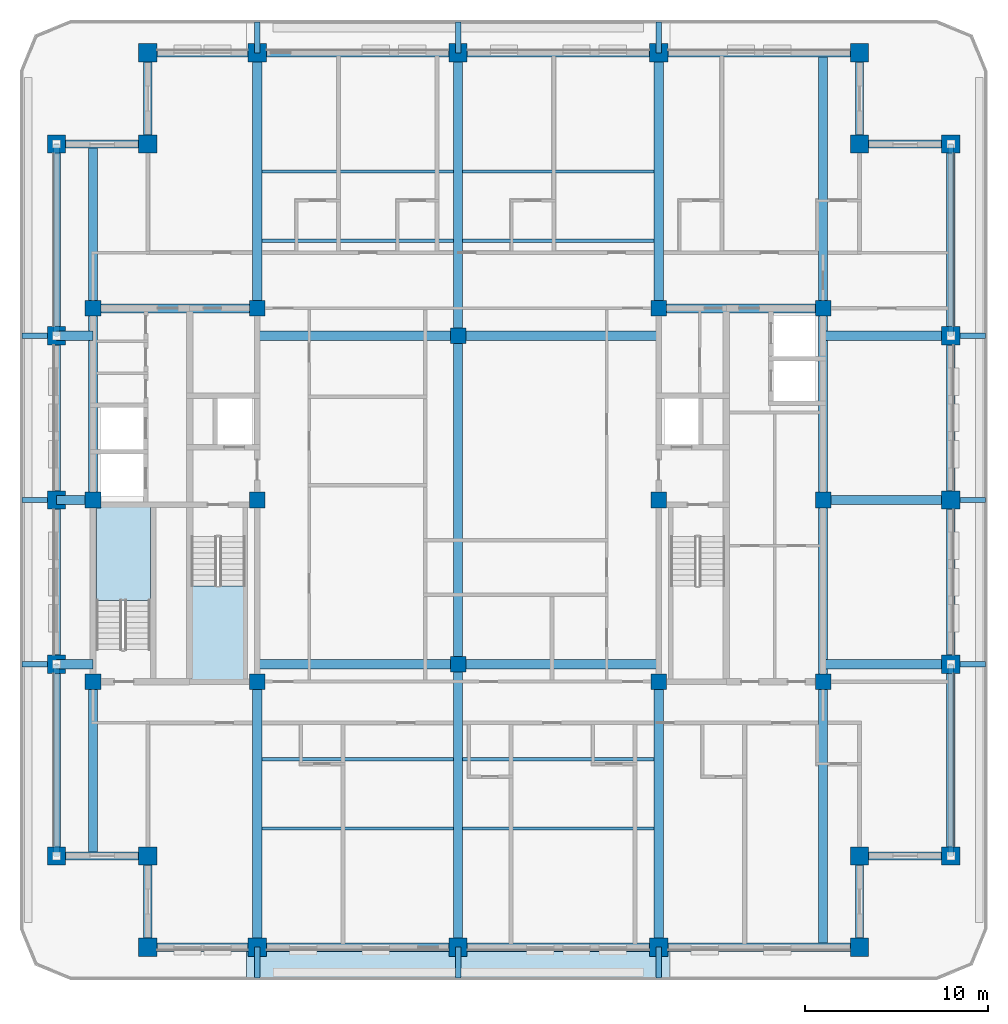
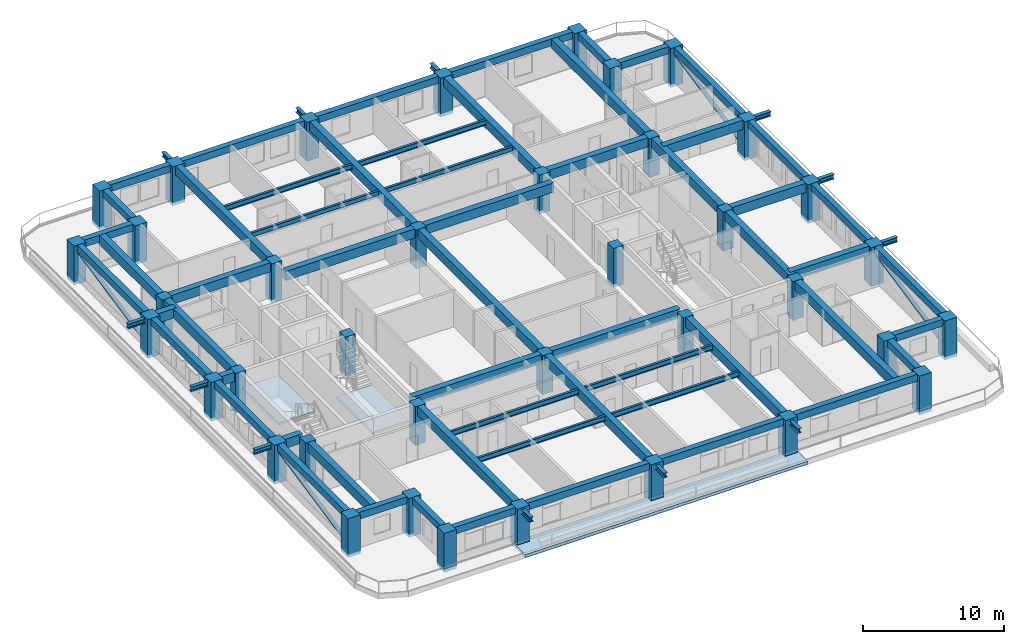
# One storey, part 1 of 15: 70 beams, 38 columns, 4 members, 3 slabs, 2 elements without a shape of their own.
"""IFC4 building model written with IfcOpenShell, lengths in metres."""

from ifc_helpers import new_model, si_unit, direction, frame, origin, origin_2d, place, context, subcontext, project, spatial, polyline, rectangle, hollow_circle, i_section, outline, extrude, material, layer, layer_set, material_profile, profile_set, type_object, element, aggregate, save


model = new_model("IFC4")

# Units and contexts
model_context = context("Model", 3, precision=1e-05, world=origin(), true_north=direction((0.0, 1.0)))
body_context = subcontext(model_context, "Body", "Model", "MODEL_VIEW")
ifc_project = project(units=[si_unit("LENGTHUNIT", "METRE"), si_unit("AREAUNIT", "SQUARE_METRE"), si_unit("VOLUMEUNIT", "CUBIC_METRE"), si_unit("PLANEANGLEUNIT", "RADIAN"), si_unit("MASSUNIT", "GRAM", prefix="KILO")], contexts=[model_context])

# Site, building, storey
site_placement = place(None, origin())
site = spatial("IfcSite", under=ifc_project, at=site_placement, CompositionType="ELEMENT")
building_placement = place(site_placement, origin())
building = spatial("IfcBuilding", under=site, at=building_placement, Name="Zulmaris Gate Convention Tower", CompositionType="ELEMENT")
storey_placement = place(building_placement, frame((0.0, 0.0, 172.85986328125)))
storey = spatial("IfcBuildingStorey", under=building, at=storey_placement, Name="L44", CompositionType="ELEMENT", Elevation=172.85986328125)

# Columns
ifc_material_1 = material(Name="Concrete C60/75", Category="concrete")
ifc_material_profile_1 = material_profile(ifc_material_1, rectangle(XDim=1.0, YDim=1.0, at=origin_2d()), Name="RC COL 1000x1000")
ifc_profile_set_1 = profile_set([ifc_material_profile_1], Name="Concrete C60/75")
column_type_1 = type_object("IfcColumnType", Name="COL-RC1000", PredefinedType="COLUMN", material=ifc_profile_set_1)
for number, where, z_axis, x_axis, name in (
    (1, (-17.0, -24.5, -0.25), (0.0, 0.0, 1.0), (1.0, 0.0, 0.0), "L44 Column PT--17.00_-24.50"),
    (2, (-11.0, -24.5, -0.25), (0.0, 0.0, 1.0), (1.0, 0.0, 0.0), "L44 Column PT--11.00_-24.50"),
    (3, (0.0, -24.5, -0.25), (0.0, 0.0, 1.0), (1.0, 0.0, 0.0), "L44 Column PT-+0.00_-24.50"),
    (4, (11.0, -24.5, -0.25), (0.0, 0.0, 1.0), (1.0, 0.0, 0.0), "L44 Column PT-+11.00_-24.50"),
    (5, (22.0, -24.5, -0.25), (0.0, 0.0, 1.0), (1.0, 0.0, 0.0), "L44 Column PT-+22.00_-24.50"),
    (6, (-17.0, 24.5, -0.25), (0.0, 0.0, 1.0), (1.0, 0.0, 0.0), "L44 Column PT--17.00_+24.50"),
    (7, (-11.0, 24.5, -0.25), (0.0, 0.0, 1.0), (1.0, 0.0, 0.0), "L44 Column PT--11.00_+24.50"),
    (8, (0.0, 24.5, -0.25), (0.0, 0.0, 1.0), (1.0, 0.0, 0.0), "L44 Column PT-+0.00_+24.50"),
    (9, (11.0, 24.5, -0.25), (0.0, 0.0, 1.0), (1.0, 0.0, 0.0), "L44 Column PT-+11.00_+24.50"),
    (10, (22.0, 24.5, -0.25), (0.0, 0.0, 1.0), (1.0, 0.0, 0.0), "L44 Column PT-+22.00_+24.50"),
    (11, (-22.0, -19.5, -0.25), (0.0, 0.0, 1.0), (1.0, 0.0, 0.0), "L44 Column PT--22.00_-19.50"),
    (12, (-22.0, -9.0, -0.25), (0.0, 0.0, 1.0), (1.0, 0.0, 0.0), "L44 Column PT--22.00_-9.00"),
    (13, (-22.0, 0.0, -0.25), (0.0, 0.0, 1.0), (1.0, 0.0, 0.0), "L44 Column PT--22.00_+0.00"),
    (14, (-22.0, 9.0, -0.25), (0.0, 0.0, 1.0), (1.0, 0.0, 0.0), "L44 Column PT--22.00_+9.00"),
    (15, (-22.0, 19.5, -0.25), (0.0, 0.0, 1.0), (1.0, 0.0, 0.0), "L44 Column PT--22.00_+19.50"),
    (16, (27.0, -19.5, -0.25), (0.0, 0.0, 1.0), (1.0, 0.0, 0.0), "L44 Column PT-+27.00_-19.50"),
    (17, (27.0, -9.0, -0.25), (0.0, 0.0, 1.0), (1.0, 0.0, 0.0), "L44 Column PT-+27.00_-9.00"),
    (18, (27.0, 0.0, -0.25), (0.0, 0.0, 1.0), (1.0, 0.0, 0.0), "L44 Column PT-+27.00_+0.00"),
    (19, (27.0, 9.0, -0.25), (0.0, 0.0, 1.0), (1.0, 0.0, 0.0), "L44 Column PT-+27.00_+9.00"),
    (20, (27.0, 19.5, -0.25), (0.0, 0.0, 1.0), (1.0, 0.0, 0.0), "L44 Column PT-+27.00_+19.50"),
    (21, (-17.0, -19.5, -0.25), (0.0, 0.0, 1.0), (1.0, 0.0, 0.0), "L44 Column PT--17.00_-19.50"),
    (22, (22.0, -19.5, -0.25), (0.0, 0.0, 1.0), (1.0, 0.0, 0.0), "L44 Column PT-+22.00_-19.50"),
    (23, (22.0, 19.5, -0.25), (0.0, 0.0, 1.0), (1.0, 0.0, 0.0), "L44 Column PT-+22.00_+19.50"),
    (24, (-17.0, 19.5, -0.25), (0.0, 0.0, 1.0), (1.0, 0.0, 0.0), "L44 Column PT--17.00_+19.50"),
):
    element("IfcColumn", number, at=place(storey_placement, frame(where, z_axis=z_axis, x_axis=x_axis)), inside=storey, type_object=column_type_1, Name=name, PredefinedType="COLUMN", context=body_context, shape_type="SweptSolid", body=[
        extrude(rectangle(XDim=1.0, YDim=1.0, at=origin_2d()), origin(), (0.0, 0.0, 1.0), 3.375),
    ])
ifc_material_profile_2 = material_profile(ifc_material_1, rectangle(XDim=0.85009765625, YDim=0.85009765625, at=origin_2d()), Name="RC COL 850x850")
ifc_profile_set_2 = profile_set([ifc_material_profile_2], Name="Concrete C60/75")
column_type_2 = type_object("IfcColumnType", Name="COL-RC850", PredefinedType="COLUMN", material=ifc_profile_set_2)
for number, where, z_axis, x_axis, name in (
    (25, (-20.0, -9.949951171875, -0.25), (0.0, 0.0, 1.0), (1.0, 0.0, 0.0), "L44 Column IN--20.00_-9.95"),
    (26, (-20.0, 10.5, -0.25), (0.0, 0.0, 1.0), (1.0, 0.0, 0.0), "L44 Column IN--20.00_+10.50"),
    (27, (-11.0, -9.949951171875, -0.25), (0.0, 0.0, 1.0), (1.0, 0.0, 0.0), "L44 Column IN--11.00_-9.95"),
    (28, (-11.0, 0.0, -0.25), (0.0, 0.0, 1.0), (1.0, 0.0, 0.0), "L44 Column IN--11.00_+0.00"),
    (29, (-11.0, 10.5, -0.25), (0.0, 0.0, 1.0), (1.0, 0.0, 0.0), "L44 Column IN--11.00_+10.50"),
    (30, (11.0, -9.949951171875, -0.25), (0.0, 0.0, 1.0), (1.0, 0.0, 0.0), "L44 Column IN-+11.00_-9.95"),
    (31, (11.0, 0.0, -0.25), (0.0, 0.0, 1.0), (1.0, 0.0, 0.0), "L44 Column IN-+11.00_+0.00"),
    (32, (11.0, 10.5, -0.25), (0.0, 0.0, 1.0), (1.0, 0.0, 0.0), "L44 Column IN-+11.00_+10.50"),
    (33, (20.0, -9.949951171875, -0.25), (0.0, 0.0, 1.0), (1.0, 0.0, 0.0), "L44 Column IN-+20.00_-9.95"),
    (34, (20.0, 10.5, -0.25), (0.0, 0.0, 1.0), (1.0, 0.0, 0.0), "L44 Column IN-+20.00_+10.50"),
    (35, (0.0, -9.0, -0.25), (0.0, 0.0, 1.0), (1.0, 0.0, 0.0), "L44 Column IN-+0.00_-9.00"),
    (36, (0.0, 9.0, -0.25), (0.0, 0.0, 1.0), (1.0, 0.0, 0.0), "L44 Column IN-+0.00_+9.00"),
    (37, (-20.0, 0.0, -0.25), (0.0, 0.0, 1.0), (1.0, 0.0, 0.0), "L44 Column IN--20.00_+0.00"),
    (38, (20.0, 0.0, -0.25), (0.0, 0.0, 1.0), (1.0, 0.0, 0.0), "L44 Column IN-+20.00_+0.00"),
):
    element("IfcColumn", number, at=place(storey_placement, frame(where, z_axis=z_axis, x_axis=x_axis)), inside=storey, type_object=column_type_2, Name=name, PredefinedType="COLUMN", context=body_context, shape_type="SweptSolid", body=[
        extrude(rectangle(XDim=0.85009765625, YDim=0.85009765625, at=origin_2d()), origin(), (0.0, 0.0, 1.0), 3.375),
    ])

# Beams
ifc_material_2 = material(Name="Steel S355", Category="steel")
ifc_material_profile_3 = material_profile(ifc_material_2, i_section(OverallWidth=0.300048828125, OverallDepth=0.39990234375, WebThickness=0.013427734375, FlangeThickness=0.02392578125, FilletRadius=0.027099609375, at=origin_2d()), Name="HEB 400")
ifc_profile_set_3 = profile_set([ifc_material_profile_3], Name="Steel S355")
beam_type_1 = type_object("IfcBeamType", Name="BM-HEB400", PredefinedType="BEAM", material=ifc_profile_set_3)
for number, where, z_axis, x_axis, name in (
    (39, (-11.0, -26.199951171875, 2.784912109375), (0.0, 1.0, 0.0), (-1.0, 0.0, 0.0), "L44 Beam TBRK-L44-S--11"),
    (40, (-11.0, 24.5, 2.784912109375), (0.0, 1.0, 0.0), (-1.0, 0.0, 0.0), "L44 Beam TBRK-L44-N--11"),
    (41, (0.0, -26.199951171875, 2.784912109375), (0.0, 1.0, 0.0), (-1.0, 0.0, 0.0), "L44 Beam TBRK-L44-S-+0"),
    (42, (0.0, 24.5, 2.784912109375), (0.0, 1.0, 0.0), (-1.0, 0.0, 0.0), "L44 Beam TBRK-L44-N-+0"),
    (43, (11.0, -26.199951171875, 2.784912109375), (0.0, 1.0, 0.0), (-1.0, 0.0, 0.0), "L44 Beam TBRK-L44-S-+11"),
    (44, (11.0, 24.5, 2.784912109375), (0.0, 1.0, 0.0), (-1.0, 0.0, 0.0), "L44 Beam TBRK-L44-N-+11"),
):
    element("IfcBeam", number, at=place(storey_placement, frame(where, z_axis=z_axis, x_axis=x_axis)), inside=storey, type_object=beam_type_1, Name=name, PredefinedType="BEAM", context=body_context, shape_type="SweptSolid", body=[
        extrude(i_section(OverallWidth=0.300048828125, OverallDepth=0.39990234375, WebThickness=0.013427734375, FlangeThickness=0.02392578125, FilletRadius=0.027099609375, at=origin_2d()), origin(), (0.0, 0.0, 1.0), 1.699951171875),
    ])
for number, where, z_axis, x_axis, name in (
    (45, (-23.89990234375, -9.0, 2.784912109375), (1.0, 0.0, 0.0), (0.0, 1.0, 0.0), "L44 Beam TBRK-L44-W--9"),
    (46, (27.0, -9.0, 2.784912109375), (1.0, 0.0, 0.0), (0.0, 1.0, 0.0), "L44 Beam TBRK-L44-E--9"),
    (47, (-23.89990234375, 0.0, 2.784912109375), (1.0, 0.0, 0.0), (0.0, 1.0, 0.0), "L44 Beam TBRK-L44-W-+0"),
    (48, (27.0, 0.0, 2.784912109375), (1.0, 0.0, 0.0), (0.0, 1.0, 0.0), "L44 Beam TBRK-L44-E-+0"),
    (49, (-23.89990234375, 9.0, 2.784912109375), (1.0, 0.0, 0.0), (0.0, 1.0, 0.0), "L44 Beam TBRK-L44-W-+9"),
    (50, (27.0, 9.0, 2.784912109375), (1.0, 0.0, 0.0), (0.0, 1.0, 0.0), "L44 Beam TBRK-L44-E-+9"),
):
    element("IfcBeam", number, at=place(storey_placement, frame(where, z_axis=z_axis, x_axis=x_axis)), inside=storey, type_object=beam_type_1, Name=name, PredefinedType="BEAM", context=body_context, shape_type="SweptSolid", body=[
        extrude(i_section(OverallWidth=0.300048828125, OverallDepth=0.39990234375, WebThickness=0.013427734375, FlangeThickness=0.02392578125, FilletRadius=0.027099609375, at=origin_2d()), origin(), (0.0, 0.0, 1.0), 1.89990234375),
    ])
ifc_material_3 = material(Name="Concrete C50/60", Category="concrete")
ifc_material_profile_4 = material_profile(ifc_material_3, rectangle(XDim=0.5, YDim=0.800048828125, at=origin_2d()), Name="RC BEAM 500x800")
ifc_profile_set_4 = profile_set([ifc_material_profile_4], Name="Concrete C50/60")
beam_type_2 = type_object("IfcBeamType", Name="BM-RC500x800", PredefinedType="BEAM", material=ifc_profile_set_4)
for number, where, z_axis, x_axis, name in (
    (51, (-11.0, -9.0, 2.724853515625), (1.0, 0.0, 0.0), (0.0, 1.0, 0.0), "L44 Beam BM-L44-G01"),
    (52, (0.0, -9.0, 2.724853515625), (1.0, 0.0, 0.0), (0.0, 1.0, 0.0), "L44 Beam BM-L44-G02"),
    (53, (-11.0, 9.0, 2.724853515625), (1.0, 0.0, 0.0), (0.0, 1.0, 0.0), "L44 Beam BM-L44-G03"),
    (54, (0.0, 9.0, 2.724853515625), (1.0, 0.0, 0.0), (0.0, 1.0, 0.0), "L44 Beam BM-L44-G04"),
):
    element("IfcBeam", number, at=place(storey_placement, frame(where, z_axis=z_axis, x_axis=x_axis)), inside=storey, type_object=beam_type_2, Name=name, PredefinedType="BEAM", context=body_context, shape_type="SweptSolid", body=[
        extrude(rectangle(XDim=0.5, YDim=0.800048828125, at=origin_2d()), origin(), (0.0, 0.0, 1.0), 11.0),
    ])
beam_1_placement = place(storey_placement, frame((0.0, -24.5, 2.724853515625), z_axis=(0.0, 1.0, 0.0), x_axis=(-1.0, 0.0, 0.0)))
element("IfcBeam", 55, at=beam_1_placement, inside=storey, type_object=beam_type_2, Name="L44 Beam BM-L44-G05", PredefinedType="BEAM", context=body_context, shape_type="SweptSolid", body=[
    extrude(rectangle(XDim=0.5, YDim=0.800048828125, at=origin_2d()), origin(), (0.0, 0.0, 1.0), 15.5),
])
beam_2_placement = place(storey_placement, frame((0.0, -9.0, 2.724853515625), z_axis=(0.0, 1.0, 0.0), x_axis=(-1.0, 0.0, 0.0)))
element("IfcBeam", 56, at=beam_2_placement, inside=storey, type_object=beam_type_2, Name="L44 Beam BM-L44-G06", PredefinedType="BEAM", context=body_context, shape_type="SweptSolid", body=[
    extrude(rectangle(XDim=0.5, YDim=0.800048828125, at=origin_2d()), origin(), (0.0, 0.0, 1.0), 18.0),
])
beam_3_placement = place(storey_placement, frame((0.0, 9.0, 2.724853515625), z_axis=(0.0, 1.0, 0.0), x_axis=(-1.0, 0.0, 0.0)))
element("IfcBeam", 57, at=beam_3_placement, inside=storey, type_object=beam_type_2, Name="L44 Beam BM-L44-G07", PredefinedType="BEAM", context=body_context, shape_type="SweptSolid", body=[
    extrude(rectangle(XDim=0.5, YDim=0.800048828125, at=origin_2d()), origin(), (0.0, 0.0, 1.0), 15.5),
])
beam_4_placement = place(storey_placement, frame((-11.0, -24.5, 2.724853515625), z_axis=(0.0, 1.0, 0.0), x_axis=(-1.0, 0.0, 0.0)))
element("IfcBeam", 58, at=beam_4_placement, inside=storey, type_object=beam_type_2, Name="L44 Beam BM-L44-G08", PredefinedType="BEAM", context=body_context, shape_type="SweptSolid", body=[
    extrude(rectangle(XDim=0.5, YDim=0.800048828125, at=origin_2d()), origin(), (0.0, 0.0, 1.0), 14.550048828125),
])
beam_5_placement = place(storey_placement, frame((-11.0, 10.5, 2.724853515625), z_axis=(0.0, 1.0, 0.0), x_axis=(-1.0, 0.0, 0.0)))
element("IfcBeam", 59, at=beam_5_placement, inside=storey, type_object=beam_type_2, Name="L44 Beam BM-L44-G09", PredefinedType="BEAM", context=body_context, shape_type="SweptSolid", body=[
    extrude(rectangle(XDim=0.5, YDim=0.800048828125, at=origin_2d()), origin(), (0.0, 0.0, 1.0), 14.0),
])
beam_6_placement = place(storey_placement, frame((11.0, -24.5, 2.724853515625), z_axis=(0.0, 1.0, 0.0), x_axis=(-1.0, 0.0, 0.0)))
element("IfcBeam", 60, at=beam_6_placement, inside=storey, type_object=beam_type_2, Name="L44 Beam BM-L44-G10", PredefinedType="BEAM", context=body_context, shape_type="SweptSolid", body=[
    extrude(rectangle(XDim=0.5, YDim=0.800048828125, at=origin_2d()), origin(), (0.0, 0.0, 1.0), 14.550048828125),
])
beam_7_placement = place(storey_placement, frame((11.0, 10.5, 2.724853515625), z_axis=(0.0, 1.0, 0.0), x_axis=(-1.0, 0.0, 0.0)))
element("IfcBeam", 61, at=beam_7_placement, inside=storey, type_object=beam_type_2, Name="L44 Beam BM-L44-G11", PredefinedType="BEAM", context=body_context, shape_type="SweptSolid", body=[
    extrude(rectangle(XDim=0.5, YDim=0.800048828125, at=origin_2d()), origin(), (0.0, 0.0, 1.0), 14.0),
])
beam_8_placement = place(storey_placement, frame((-20.0, -19.5, 2.724853515625), z_axis=(0.0, 1.0, 0.0), x_axis=(-1.0, 0.0, 0.0)))
element("IfcBeam", 62, at=beam_8_placement, inside=storey, type_object=beam_type_2, Name="L44 Beam BM-L44-G12", PredefinedType="BEAM", context=body_context, shape_type="SweptSolid", body=[
    extrude(rectangle(XDim=0.5, YDim=0.800048828125, at=origin_2d()), origin(), (0.0, 0.0, 1.0), 9.550048828125),
])
beam_9_placement = place(storey_placement, frame((-20.0, 10.5, 2.724853515625), z_axis=(0.0, 1.0, 0.0), x_axis=(-1.0, 0.0, 0.0)))
element("IfcBeam", 63, at=beam_9_placement, inside=storey, type_object=beam_type_2, Name="L44 Beam BM-L44-G13", PredefinedType="BEAM", context=body_context, shape_type="SweptSolid", body=[
    extrude(rectangle(XDim=0.5, YDim=0.800048828125, at=origin_2d()), origin(), (0.0, 0.0, 1.0), 9.0),
])
beam_10_placement = place(storey_placement, frame((20.0, -24.5, 2.724853515625), z_axis=(0.0, 1.0, 0.0), x_axis=(-1.0, 0.0, 0.0)))
element("IfcBeam", 64, at=beam_10_placement, inside=storey, type_object=beam_type_2, Name="L44 Beam BM-L44-G14", PredefinedType="BEAM", context=body_context, shape_type="SweptSolid", body=[
    extrude(rectangle(XDim=0.5, YDim=0.800048828125, at=origin_2d()), origin(), (0.0, 0.0, 1.0), 14.550048828125),
])
beam_11_placement = place(storey_placement, frame((20.0, 10.5, 2.724853515625), z_axis=(0.0, 1.0, 0.0), x_axis=(-1.0, 0.0, 0.0)))
element("IfcBeam", 65, at=beam_11_placement, inside=storey, type_object=beam_type_2, Name="L44 Beam BM-L44-G15", PredefinedType="BEAM", context=body_context, shape_type="SweptSolid", body=[
    extrude(rectangle(XDim=0.5, YDim=0.800048828125, at=origin_2d()), origin(), (0.0, 0.0, 1.0), 14.0),
])
for number, where, z_axis, x_axis, name in (
    (66, (-22.0, -9.0, 2.724853515625), (1.0, 0.0, 0.0), (0.0, 1.0, 0.0), "L44 Beam BM-L44-G16"),
    (67, (-22.0, 0.0, 2.724853515625), (1.0, 0.0, 0.0), (0.0, 1.0, 0.0), "L44 Beam BM-L44-G17"),
    (68, (-22.0, 9.0, 2.724853515625), (1.0, 0.0, 0.0), (0.0, 1.0, 0.0), "L44 Beam BM-L44-G18"),
):
    element("IfcBeam", number, at=place(storey_placement, frame(where, z_axis=z_axis, x_axis=x_axis)), inside=storey, type_object=beam_type_2, Name=name, PredefinedType="BEAM", context=body_context, shape_type="SweptSolid", body=[
        extrude(rectangle(XDim=0.5, YDim=0.800048828125, at=origin_2d()), origin(), (0.0, 0.0, 1.0), 2.0),
    ])
for number, where, z_axis, x_axis, name in (
    (69, (20.0, -9.0, 2.724853515625), (1.0, 0.0, 0.0), (0.0, 1.0, 0.0), "L44 Beam BM-L44-G19"),
    (70, (20.0, 0.0, 2.724853515625), (1.0, 0.0, 0.0), (0.0, 1.0, 0.0), "L44 Beam BM-L44-G20"),
    (71, (20.0, 9.0, 2.724853515625), (1.0, 0.0, 0.0), (0.0, 1.0, 0.0), "L44 Beam BM-L44-G21"),
):
    element("IfcBeam", number, at=place(storey_placement, frame(where, z_axis=z_axis, x_axis=x_axis)), inside=storey, type_object=beam_type_2, Name=name, PredefinedType="BEAM", context=body_context, shape_type="SweptSolid", body=[
        extrude(rectangle(XDim=0.5, YDim=0.800048828125, at=origin_2d()), origin(), (0.0, 0.0, 1.0), 7.0),
    ])
for number, where, z_axis, x_axis, name in (
    (72, (-20.0, 10.5, 2.724853515625), (1.0, 0.0, 0.0), (0.0, 1.0, 0.0), "L44 Beam BM-L44-G23"),
    (73, (11.0, 10.5, 2.724853515625), (1.0, 0.0, 0.0), (0.0, 1.0, 0.0), "L44 Beam BM-L44-G25"),
):
    element("IfcBeam", number, at=place(storey_placement, frame(where, z_axis=z_axis, x_axis=x_axis)), inside=storey, type_object=beam_type_2, Name=name, PredefinedType="BEAM", context=body_context, shape_type="SweptSolid", body=[
        extrude(rectangle(XDim=0.5, YDim=0.800048828125, at=origin_2d()), origin(), (0.0, 0.0, 1.0), 9.0),
    ])
beam_12_placement = place(storey_placement, frame((-20.0, 0.0, 2.724853515625), z_axis=(0.0, 1.0, 0.0), x_axis=(-1.0, 0.0, 0.0)))
element("IfcBeam", 74, at=beam_12_placement, inside=storey, type_object=beam_type_2, Name="L44 Beam BM-L44-G27", PredefinedType="BEAM", context=body_context, shape_type="SweptSolid", body=[
    extrude(rectangle(XDim=0.5, YDim=0.800048828125, at=origin_2d()), origin(), (0.0, 0.0, 1.0), 10.5),
])
beam_13_placement = place(storey_placement, frame((20.0, -9.949951171875, 2.724853515625), z_axis=(0.0, 1.0, 0.0), x_axis=(-1.0, 0.0, 0.0)))
element("IfcBeam", 75, at=beam_13_placement, inside=storey, type_object=beam_type_2, Name="L44 Beam BM-L44-G28", PredefinedType="BEAM", context=body_context, shape_type="SweptSolid", body=[
    extrude(rectangle(XDim=0.5, YDim=0.800048828125, at=origin_2d()), origin(), (0.0, 0.0, 1.0), 9.949951171875),
])
beam_14_placement = place(storey_placement, frame((20.0, 0.0, 2.724853515625), z_axis=(0.0, 1.0, 0.0), x_axis=(-1.0, 0.0, 0.0)))
element("IfcBeam", 76, at=beam_14_placement, inside=storey, type_object=beam_type_2, Name="L44 Beam BM-L44-G29", PredefinedType="BEAM", context=body_context, shape_type="SweptSolid", body=[
    extrude(rectangle(XDim=0.5, YDim=0.800048828125, at=origin_2d()), origin(), (0.0, 0.0, 1.0), 10.5),
])
ifc_material_4 = material(Name="Precast concrete C50/60", Category="concrete")
ifc_material_profile_5 = material_profile(ifc_material_4, rectangle(XDim=0.449951171875, YDim=0.60009765625, at=origin_2d()), Name="RC SPANDREL 450x600")
ifc_profile_set_5 = profile_set([ifc_material_profile_5], Name="Precast concrete C50/60")
beam_type_3 = type_object("IfcBeamType", Name="BM-SP450x600", PredefinedType="SPANDREL", material=ifc_profile_set_5)
beam_15_placement = place(storey_placement, frame((-17.0, -24.5, 2.824951171875), z_axis=(1.0, 0.0, 0.0), x_axis=(0.0, 1.0, 0.0)))
element("IfcBeam", 77, at=beam_15_placement, inside=storey, type_object=beam_type_3, Name="L44 Spandrel SP-L44-01", PredefinedType="SPANDREL", context=body_context, shape_type="SweptSolid", body=[
    extrude(rectangle(XDim=0.449951171875, YDim=0.60009765625, at=origin_2d()), origin(), (0.0, 0.0, 1.0), 6.0),
])
for number, where, z_axis, x_axis, name in (
    (78, (-11.0, -24.5, 2.824951171875), (1.0, 0.0, 0.0), (0.0, 1.0, 0.0), "L44 Spandrel SP-L44-02"),
    (79, (0.0, -24.5, 2.824951171875), (1.0, 0.0, 0.0), (0.0, 1.0, 0.0), "L44 Spandrel SP-L44-03"),
    (80, (11.0, -24.5, 2.824951171875), (1.0, 0.0, 0.0), (0.0, 1.0, 0.0), "L44 Spandrel SP-L44-04"),
):
    element("IfcBeam", number, at=place(storey_placement, frame(where, z_axis=z_axis, x_axis=x_axis)), inside=storey, type_object=beam_type_3, Name=name, PredefinedType="SPANDREL", context=body_context, shape_type="SweptSolid", body=[
        extrude(rectangle(XDim=0.449951171875, YDim=0.60009765625, at=origin_2d()), origin(), (0.0, 0.0, 1.0), 11.0),
    ])
for number, where, z_axis, x_axis, name in (
    (81, (22.0, -24.5, 2.824951171875), (0.0, 1.0, 0.0), (-1.0, 0.0, 0.0), "L44 Spandrel SP-L44-05"),
    (82, (22.0, -19.5, 2.824951171875), (1.0, 0.0, 0.0), (0.0, 1.0, 0.0), "L44 Spandrel SP-L44-06"),
):
    element("IfcBeam", number, at=place(storey_placement, frame(where, z_axis=z_axis, x_axis=x_axis)), inside=storey, type_object=beam_type_3, Name=name, PredefinedType="SPANDREL", context=body_context, shape_type="SweptSolid", body=[
        extrude(rectangle(XDim=0.449951171875, YDim=0.60009765625, at=origin_2d()), origin(), (0.0, 0.0, 1.0), 5.0),
    ])
beam_16_placement = place(storey_placement, frame((27.0, -19.5, 2.824951171875), z_axis=(0.0, 1.0, 0.0), x_axis=(-1.0, 0.0, 0.0)))
element("IfcBeam", 83, at=beam_16_placement, inside=storey, type_object=beam_type_3, Name="L44 Spandrel SP-L44-07", PredefinedType="SPANDREL", context=body_context, shape_type="SweptSolid", body=[
    extrude(rectangle(XDim=0.449951171875, YDim=0.60009765625, at=origin_2d()), origin(), (0.0, 0.0, 1.0), 10.5),
])
for number, where, z_axis, x_axis, name in (
    (84, (27.0, -9.0, 2.824951171875), (0.0, 1.0, 0.0), (-1.0, 0.0, 0.0), "L44 Spandrel SP-L44-08"),
    (85, (27.0, 0.0, 2.824951171875), (0.0, 1.0, 0.0), (-1.0, 0.0, 0.0), "L44 Spandrel SP-L44-09"),
):
    element("IfcBeam", number, at=place(storey_placement, frame(where, z_axis=z_axis, x_axis=x_axis)), inside=storey, type_object=beam_type_3, Name=name, PredefinedType="SPANDREL", context=body_context, shape_type="SweptSolid", body=[
        extrude(rectangle(XDim=0.449951171875, YDim=0.60009765625, at=origin_2d()), origin(), (0.0, 0.0, 1.0), 9.0),
    ])
beam_17_placement = place(storey_placement, frame((27.0, 9.0, 2.824951171875), z_axis=(0.0, 1.0, 0.0), x_axis=(-1.0, 0.0, 0.0)))
element("IfcBeam", 86, at=beam_17_placement, inside=storey, type_object=beam_type_3, Name="L44 Spandrel SP-L44-10", PredefinedType="SPANDREL", context=body_context, shape_type="SweptSolid", body=[
    extrude(rectangle(XDim=0.449951171875, YDim=0.60009765625, at=origin_2d()), origin(), (0.0, 0.0, 1.0), 10.5),
])
for number, where, z_axis, x_axis, name in (
    (87, (27.0, 19.5, 2.824951171875), (-1.0, 0.0, 0.0), (0.0, -1.0, 0.0), "L44 Spandrel SP-L44-11"),
    (88, (22.0, 19.5, 2.824951171875), (0.0, 1.0, 0.0), (-1.0, 0.0, 0.0), "L44 Spandrel SP-L44-12"),
):
    element("IfcBeam", number, at=place(storey_placement, frame(where, z_axis=z_axis, x_axis=x_axis)), inside=storey, type_object=beam_type_3, Name=name, PredefinedType="SPANDREL", context=body_context, shape_type="SweptSolid", body=[
        extrude(rectangle(XDim=0.449951171875, YDim=0.60009765625, at=origin_2d()), origin(), (0.0, 0.0, 1.0), 5.0),
    ])
for number, where, z_axis, x_axis, name in (
    (89, (22.0, 24.5, 2.824951171875), (-1.0, 0.0, 0.0), (0.0, -1.0, 0.0), "L44 Spandrel SP-L44-13"),
    (90, (11.0, 24.5, 2.824951171875), (-1.0, 0.0, 0.0), (0.0, -1.0, 0.0), "L44 Spandrel SP-L44-14"),
    (91, (0.0, 24.5, 2.824951171875), (-1.0, 0.0, 0.0), (0.0, -1.0, 0.0), "L44 Spandrel SP-L44-15"),
):
    element("IfcBeam", number, at=place(storey_placement, frame(where, z_axis=z_axis, x_axis=x_axis)), inside=storey, type_object=beam_type_3, Name=name, PredefinedType="SPANDREL", context=body_context, shape_type="SweptSolid", body=[
        extrude(rectangle(XDim=0.449951171875, YDim=0.60009765625, at=origin_2d()), origin(), (0.0, 0.0, 1.0), 11.0),
    ])
beam_18_placement = place(storey_placement, frame((-11.0, 24.5, 2.824951171875), z_axis=(-1.0, 0.0, 0.0), x_axis=(0.0, -1.0, 0.0)))
element("IfcBeam", 92, at=beam_18_placement, inside=storey, type_object=beam_type_3, Name="L44 Spandrel SP-L44-16", PredefinedType="SPANDREL", context=body_context, shape_type="SweptSolid", body=[
    extrude(rectangle(XDim=0.449951171875, YDim=0.60009765625, at=origin_2d()), origin(), (0.0, 0.0, 1.0), 6.0),
])
for number, where, z_axis, x_axis, name in (
    (93, (-17.0, 24.5, 2.824951171875), (0.0, -1.0, 0.0), (1.0, 0.0, 0.0), "L44 Spandrel SP-L44-17"),
    (94, (-17.0, 19.5, 2.824951171875), (-1.0, 0.0, 0.0), (0.0, -1.0, 0.0), "L44 Spandrel SP-L44-18"),
):
    element("IfcBeam", number, at=place(storey_placement, frame(where, z_axis=z_axis, x_axis=x_axis)), inside=storey, type_object=beam_type_3, Name=name, PredefinedType="SPANDREL", context=body_context, shape_type="SweptSolid", body=[
        extrude(rectangle(XDim=0.449951171875, YDim=0.60009765625, at=origin_2d()), origin(), (0.0, 0.0, 1.0), 5.0),
    ])
beam_19_placement = place(storey_placement, frame((-22.0, 19.5, 2.824951171875), z_axis=(0.0, -1.0, 0.0), x_axis=(1.0, 0.0, 0.0)))
element("IfcBeam", 95, at=beam_19_placement, inside=storey, type_object=beam_type_3, Name="L44 Spandrel SP-L44-19", PredefinedType="SPANDREL", context=body_context, shape_type="SweptSolid", body=[
    extrude(rectangle(XDim=0.449951171875, YDim=0.60009765625, at=origin_2d()), origin(), (0.0, 0.0, 1.0), 10.5),
])
for number, where, z_axis, x_axis, name in (
    (96, (-22.0, 9.0, 2.824951171875), (0.0, -1.0, 0.0), (1.0, 0.0, 0.0), "L44 Spandrel SP-L44-20"),
    (97, (-22.0, 0.0, 2.824951171875), (0.0, -1.0, 0.0), (1.0, 0.0, 0.0), "L44 Spandrel SP-L44-21"),
):
    element("IfcBeam", number, at=place(storey_placement, frame(where, z_axis=z_axis, x_axis=x_axis)), inside=storey, type_object=beam_type_3, Name=name, PredefinedType="SPANDREL", context=body_context, shape_type="SweptSolid", body=[
        extrude(rectangle(XDim=0.449951171875, YDim=0.60009765625, at=origin_2d()), origin(), (0.0, 0.0, 1.0), 9.0),
    ])
beam_20_placement = place(storey_placement, frame((-22.0, -9.0, 2.824951171875), z_axis=(0.0, -1.0, 0.0), x_axis=(1.0, 0.0, 0.0)))
element("IfcBeam", 98, at=beam_20_placement, inside=storey, type_object=beam_type_3, Name="L44 Spandrel SP-L44-22", PredefinedType="SPANDREL", context=body_context, shape_type="SweptSolid", body=[
    extrude(rectangle(XDim=0.449951171875, YDim=0.60009765625, at=origin_2d()), origin(), (0.0, 0.0, 1.0), 10.5),
])
for number, where, z_axis, x_axis, name in (
    (99, (-22.0, -19.5, 2.824951171875), (1.0, 0.0, 0.0), (0.0, 1.0, 0.0), "L44 Spandrel SP-L44-23"),
    (100, (-17.0, -19.5, 2.824951171875), (0.0, -1.0, 0.0), (1.0, 0.0, 0.0), "L44 Spandrel SP-L44-24"),
):
    element("IfcBeam", number, at=place(storey_placement, frame(where, z_axis=z_axis, x_axis=x_axis)), inside=storey, type_object=beam_type_3, Name=name, PredefinedType="SPANDREL", context=body_context, shape_type="SweptSolid", body=[
        extrude(rectangle(XDim=0.449951171875, YDim=0.60009765625, at=origin_2d()), origin(), (0.0, 0.0, 1.0), 5.0),
    ])

# Members
ifc_material_profile_6 = material_profile(ifc_material_2, hollow_circle(Radius=0.161865234375, WallThickness=0.01611328125, at=origin_2d()), Name="CHS 323.9x16")
ifc_profile_set_6 = profile_set([ifc_material_profile_6], Name="Steel S355")
member_type = type_object("IfcMemberType", Name="BR-CHS324", PredefinedType="BRACE", material=ifc_profile_set_6)
for number, where, z_axis, x_axis, name in (
    (101, (-22.0, -19.5, 0.300048828125), (0.0, 0.978656608688, 0.205502414273), (-1.0, 0.0, 0.0), "L44 Perimeter Tube Diagonal SW-W"),
    (102, (-22.0, 9.0, 0.300048828125), (0.0, 0.978656608688, 0.205502414273), (-1.0, 0.0, 0.0), "L44 Perimeter Tube Diagonal NW-W"),
    (103, (27.0, -19.5, 0.300048828125), (0.0, 0.978656608688, 0.205502414273), (-1.0, 0.0, 0.0), "L44 Perimeter Tube Diagonal SE-E"),
    (104, (27.0, 9.0, 0.300048828125), (0.0, 0.978656608688, 0.205502414273), (-1.0, 0.0, 0.0), "L44 Perimeter Tube Diagonal NE-E"),
):
    element("IfcMember", number, at=place(storey_placement, frame(where, z_axis=z_axis, x_axis=x_axis)), inside=storey, type_object=member_type, Name=name, PredefinedType="BRACE", context=body_context, shape_type="SweptSolid", body=[
        extrude(hollow_circle(Radius=0.161865234375, WallThickness=0.01611328125, at=origin_2d()), origin(), (0.0, 0.0, 1.0), 10.72900390625),
    ])

# Beams
ifc_material_profile_7 = material_profile(ifc_material_2, i_section(OverallWidth=0.18994140625, OverallDepth=0.449951171875, WebThickness=0.009521484375, FlangeThickness=0.0146484375, FilletRadius=0.02099609375, at=origin_2d()), Name="IPE 450")
ifc_profile_set_7 = profile_set([ifc_material_profile_7], Name="Steel S355")
beam_type_4 = type_object("IfcBeamType", Name="JT-IPE450", PredefinedType="JOIST", material=ifc_profile_set_7)
for number, where, z_axis, x_axis, name in (
    (105, (-10.75, -18.0, 2.89794921875), (1.0, 0.0, 0.0), (0.0, 1.0, 0.0), "L44 Joist JT-L44-CW--18.0"),
    (106, (0.25, -18.0, 2.89794921875), (1.0, 0.0, 0.0), (0.0, 1.0, 0.0), "L44 Joist JT-L44-CE--18.0"),
    (107, (-10.75, -14.199951171875, 2.89794921875), (1.0, 0.0, 0.0), (0.0, 1.0, 0.0), "L44 Joist JT-L44-CW--14.2"),
    (108, (0.25, -14.199951171875, 2.89794921875), (1.0, 0.0, 0.0), (0.0, 1.0, 0.0), "L44 Joist JT-L44-CE--14.2"),
    (109, (-10.75, 14.199951171875, 2.89794921875), (1.0, 0.0, 0.0), (0.0, 1.0, 0.0), "L44 Joist JT-L44-CW-+14.2"),
    (110, (0.25, 14.199951171875, 2.89794921875), (1.0, 0.0, 0.0), (0.0, 1.0, 0.0), "L44 Joist JT-L44-CE-+14.2"),
    (111, (-10.75, 18.0, 2.89794921875), (1.0, 0.0, 0.0), (0.0, 1.0, 0.0), "L44 Joist JT-L44-CW-+18.0"),
    (112, (0.25, 18.0, 2.89794921875), (1.0, 0.0, 0.0), (0.0, 1.0, 0.0), "L44 Joist JT-L44-CE-+18.0"),
):
    element("IfcBeam", number, at=place(storey_placement, frame(where, z_axis=z_axis, x_axis=x_axis)), inside=storey, type_object=beam_type_4, Name=name, PredefinedType="JOIST", context=body_context, shape_type="SweptSolid", body=[
        extrude(i_section(OverallWidth=0.18994140625, OverallDepth=0.449951171875, WebThickness=0.009521484375, FlangeThickness=0.0146484375, FilletRadius=0.02099609375, at=origin_2d()), origin(), (0.0, 0.0, 1.0), 10.5),
    ])

# Slab
ifc_layer_1 = layer(ifc_material_4, 0.260009765625, Name="Precast concrete C50/60")
ifc_layer_set_1 = layer_set([ifc_layer_1], Name="Precast concrete C50/60")
slab_type_1 = type_object("IfcSlabType", Name="SL-BAL-260", PredefinedType="FLOOR", material=ifc_layer_set_1)
slab_1_placement = place(storey_placement, frame((0.0, 0.0, -0.25)))
element("IfcSlab", 113, at=slab_1_placement, inside=storey, type_object=slab_type_1, Name="L44 South Tree-Balcony Planter Slab", PredefinedType="FLOOR", context=body_context, shape_type="SweptSolid", body=[
    extrude(outline(polyline([(-11.597900390625, -26.300048828125), (-11.597900390625, -24.5), (11.597900390625, -24.5), (11.597900390625, -26.300048828125), (-11.597900390625, -26.300048828125)])), origin(), (0.0, 0.0, 1.0), 0.260009765625),
])

# Stair, slab
ifc_material_5 = material(Name="Concrete C45/55", Category="concrete")
stair_type = type_object("IfcStairType", Name="ST-CORE-DOGLEG", PredefinedType="HALF_TURN_STAIR", material=ifc_material_5)
stair_1_placement = place(storey_placement, origin())
stair_1 = element("IfcStair", 114, at=stair_1_placement, inside=storey, type_object=stair_type, Name="L44 Core Exit Stair ST-1", PredefinedType="HALF_TURN_STAIR")
ifc_layer_2 = layer(ifc_material_5, 0.199951171875, Name="Concrete C45/55")
ifc_layer_set_2 = layer_set([ifc_layer_2], Name="Concrete C45/55")
slab_type_2 = type_object("IfcSlabType", Name="SL-LND-200", PredefinedType="LANDING", material=ifc_layer_set_2)
slab_2_placement = place(storey_placement, frame((0.0, 0.0, 1.5)))
slab_2 = element("IfcSlab", 115, at=slab_2_placement, type_object=slab_type_2, Name="ST-1 landing 1", PredefinedType="LANDING", context=body_context, shape_type="SweptSolid", body=[
    extrude(outline(polyline([(-14.6201171875, -4.699951171875), (-14.6201171875, -9.85009765625), (-11.659912109375, -9.85009765625), (-11.659912109375, -4.699951171875), (-14.6201171875, -4.699951171875)])), origin(), (0.0, 0.0, 1.0), 0.199951171875),
])
aggregate(stair_1, [slab_2])

stair_2_placement = place(storey_placement, origin())
stair_2 = element("IfcStair", 116, at=stair_2_placement, inside=storey, type_object=stair_type, Name="L44 Core Exit Stair ST-3", PredefinedType="HALF_TURN_STAIR")
slab_3_placement = place(storey_placement, frame((0.0, 0.0, 1.5)))
slab_3 = element("IfcSlab", 117, at=slab_3_placement, type_object=slab_type_2, Name="ST-3 landing 1", PredefinedType="LANDING", context=body_context, shape_type="SweptSolid", body=[
    extrude(outline(polyline([(-16.860107421875, -5.5), (-16.860107421875, -0.35009765625), (-19.820068359375, -0.35009765625), (-19.820068359375, -5.5), (-16.860107421875, -5.5)])), origin(), (0.0, 0.0, 1.0), 0.199951171875),
])
aggregate(stair_2, [slab_3])

save(model, "model.ifc")
